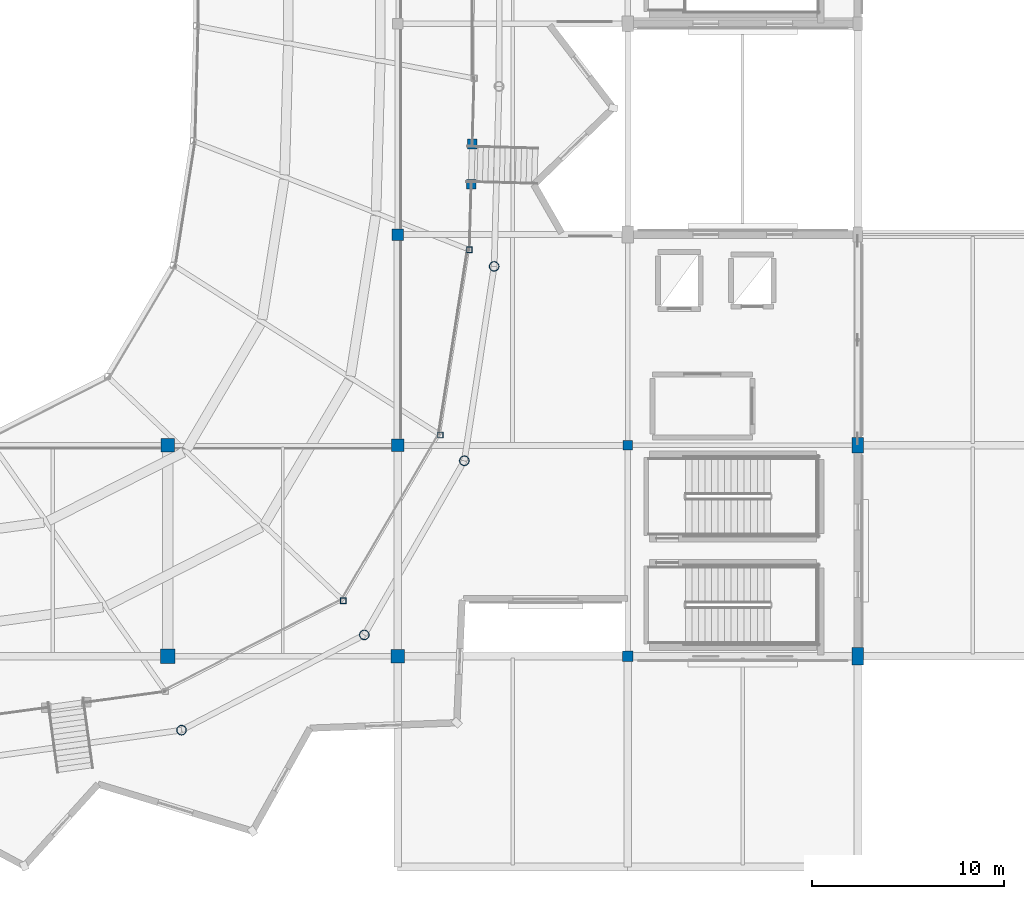
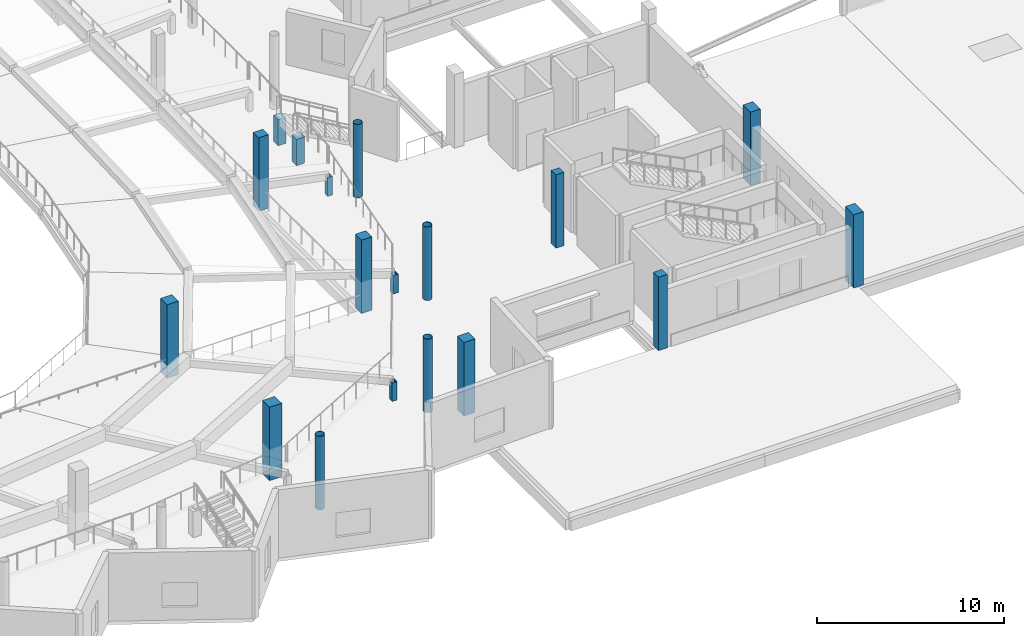
# One storey, part 12 of 77: 18 columns.
"""IFC4 building model written with IfcOpenShell, lengths in metres."""

from ifc_helpers import new_model, si_unit, direction, frame, origin, origin_2d, place, context, subcontext, project, spatial, rectangle, hollow_rectangle, hollow_circle, extrude, material, material_profile, profile_set, type_object, element, save


model = new_model("IFC4")

# Units and contexts
model_context = context("Model", 3, precision=1e-05, world=origin(), true_north=direction((0.0, 1.0)))
body_context = subcontext(model_context, "Body", "Model", "MODEL_VIEW")
ifc_project = project(units=[si_unit("LENGTHUNIT", "METRE"), si_unit("AREAUNIT", "SQUARE_METRE"), si_unit("VOLUMEUNIT", "CUBIC_METRE"), si_unit("PLANEANGLEUNIT", "RADIAN"), si_unit("MASSUNIT", "GRAM", prefix="KILO")], contexts=[model_context])

# Site, building, storey
site_placement = place(None, origin())
site = spatial("IfcSite", under=ifc_project, at=site_placement, CompositionType="ELEMENT")
building_placement = place(site_placement, origin())
building = spatial("IfcBuilding", under=site, at=building_placement, Name="Luwafu Chhajja Arena", CompositionType="ELEMENT")
storey_placement = place(building_placement, frame((0.0, 0.0, 14.699951171875)))
storey = spatial("IfcBuildingStorey", under=building, at=storey_placement, Name="L03", CompositionType="ELEMENT", Elevation=14.699951171875)

# Columns
ifc_material_1 = material(Name="Concrete C35/45", Category="concrete")
ifc_material_profile_1 = material_profile(ifc_material_1, rectangle(XDim=0.550048828125, YDim=0.550048828125, at=origin_2d()), Name="RC 550x550")
ifc_profile_set_1 = profile_set([ifc_material_profile_1], Name="Concrete C35/45")
column_type_1 = type_object("IfcColumnType", Name="Gallery Column RC 550", PredefinedType="COLUMN", material=ifc_profile_set_1)
column_1_placement = place(storey_placement, frame((152.0, 11.0, 0.0), z_axis=(0.0, 0.0, 1.0), x_axis=(1.0, 0.0, 0.0)))
element("IfcColumn", 1, at=column_1_placement, inside=storey, type_object=column_type_1, Name="L03 Grid Column 14/B", PredefinedType="COLUMN", context=body_context, shape_type="SweptSolid", body=[
    extrude(rectangle(XDim=0.550048828125, YDim=0.550048828125, at=origin_2d()), origin(), (0.0, 0.0, 1.0), 4.800048828125),
])
ifc_material_profile_2 = material_profile(ifc_material_1, rectangle(XDim=0.75, YDim=0.75, at=origin_2d()), Name="RC 750x750")
ifc_profile_set_2 = profile_set([ifc_material_profile_2], Name="Concrete C35/45")
column_type_2 = type_object("IfcColumnType", Name="Hospitality Ring Column RC 750", PredefinedType="COLUMN", material=ifc_profile_set_2)
column_2_placement = place(storey_placement, frame((128.0, 11.0, 0.0), z_axis=(0.0, 0.0, 1.0), x_axis=(1.0, 0.0, 0.0)))
element("IfcColumn", 2, at=column_2_placement, inside=storey, type_object=column_type_2, Name="L03 Grid Column 12/B", PredefinedType="COLUMN", context=body_context, shape_type="SweptSolid", body=[
    extrude(rectangle(XDim=0.75, YDim=0.75, at=origin_2d()), origin(), (0.0, 0.0, 1.0), 4.800048828125),
])
ifc_material_profile_3 = material_profile(ifc_material_1, rectangle(XDim=0.60009765625, YDim=0.60009765625, at=origin_2d()), Name="RC 600x600")
ifc_profile_set_3 = profile_set([ifc_material_profile_3], Name="Concrete C35/45")
column_type_3 = type_object("IfcColumnType", Name="Mezzanine Column RC 600", PredefinedType="COLUMN", material=ifc_profile_set_3)
column_3_placement = place(storey_placement, frame((140.0, 33.0, 0.0), z_axis=(0.0, 0.0, 1.0), x_axis=(1.0, 0.0, 0.0)))
element("IfcColumn", 3, at=column_3_placement, inside=storey, type_object=column_type_3, Name="L03 Grid Column 13/D", PredefinedType="COLUMN", context=body_context, shape_type="SweptSolid", body=[
    extrude(rectangle(XDim=0.60009765625, YDim=0.60009765625, at=origin_2d()), origin(), (0.0, 0.0, 1.0), 4.800048828125),
])
ifc_material_profile_4 = material_profile(ifc_material_1, rectangle(XDim=0.5, YDim=0.5, at=origin_2d()), Name="RC 500x500")
ifc_profile_set_4 = profile_set([ifc_material_profile_4], Name="Concrete C35/45")
column_type_4 = type_object("IfcColumnType", Name="Pavilion Column RC 500", PredefinedType="COLUMN", material=ifc_profile_set_4)
column_4_placement = place(storey_placement, frame((152.0, 22.0, 0.0), z_axis=(0.0, 0.0, 1.0), x_axis=(1.0, 0.0, 0.0)))
element("IfcColumn", 4, at=column_4_placement, inside=storey, type_object=column_type_4, Name="L03 Grid Column 14/C", PredefinedType="COLUMN", context=body_context, shape_type="SweptSolid", body=[
    extrude(rectangle(XDim=0.5, YDim=0.5, at=origin_2d()), origin(), (0.0, 0.0, 1.0), 4.800048828125),
])
for number, where, z_axis, x_axis, name in (
    (5, (143.834716796875, 35.626220703125, 0.0), (0.0, 0.0, 1.0), (1.0, 0.0, 0.0), "L03 Vomitory Header Column VU31A"),
    (6, (143.892822265625, 37.725341796875, 0.0), (0.0, 0.0, 1.0), (1.0, 0.0, 0.0), "L03 Vomitory Header Column VU31B"),
):
    element("IfcColumn", number, at=place(storey_placement, frame(where, z_axis=z_axis, x_axis=x_axis)), inside=storey, type_object=column_type_4, Name=name, PredefinedType="COLUMN", context=body_context, shape_type="SweptSolid", body=[
        extrude(rectangle(XDim=0.5, YDim=0.5, at=origin_2d()), origin(), (0.0, 0.0, 1.0), 1.699951171875),
    ])
ifc_material_2 = material(Name="Concrete C40/50", Category="concrete")
ifc_material_profile_5 = material_profile(ifc_material_2, rectangle(XDim=0.60009765625, YDim=0.800048828125, at=origin_2d()), Name="RC 600x800")
ifc_profile_set_5 = profile_set([ifc_material_profile_5], Name="Concrete C40/50")
column_type_5 = type_object("IfcColumnType", Name="Pishtaq Pier Column RC 600x800", PredefinedType="COLUMN", material=ifc_profile_set_5)
column_5_placement = place(storey_placement, frame((164.0, 22.0, 0.0), z_axis=(0.0, 0.0, 1.0), x_axis=(1.0, 0.0, 0.0)))
element("IfcColumn", 7, at=column_5_placement, inside=storey, type_object=column_type_5, Name="L03 Grid Column 15/C", PredefinedType="COLUMN", context=body_context, shape_type="SweptSolid", body=[
    extrude(rectangle(XDim=0.60009765625, YDim=0.800048828125, at=origin_2d()), origin(), (0.0, 0.0, 1.0), 4.800048828125),
])
ifc_material_3 = material(Name="Steel S355", Category="steel")
ifc_material_profile_6 = material_profile(ifc_material_3, hollow_rectangle(XDim=0.300048828125, YDim=0.300048828125, WallThickness=0.01611328125, at=origin_2d()), Name="SHS 300x300x16")
ifc_profile_set_6 = profile_set([ifc_material_profile_6], Name="Steel S355")
column_type_6 = type_object("IfcColumnType", Name="Steel Gallery Post SHS 300", PredefinedType="COLUMN", material=ifc_profile_set_6)
for number, where, z_axis, x_axis, name in (
    (8, (137.15380859375, 13.8896484375, 0.0), (0.0, 0.0, 1.0), (1.0, 0.0, 0.0), "L03 Upper Raker Rear Post 29"),
    (9, (142.227294921875, 22.5419921875, 0.0), (0.0, 0.0, 1.0), (1.0, 0.0, 0.0), "L03 Upper Raker Rear Post 30"),
    (10, (143.739501953125, 32.20361328125, 0.0), (0.0, 0.0, 1.0), (1.0, 0.0, 0.0), "L03 Upper Raker Rear Post 31"),
):
    element("IfcColumn", number, at=place(storey_placement, frame(where, z_axis=z_axis, x_axis=x_axis)), inside=storey, type_object=column_type_6, Name=name, PredefinedType="COLUMN", context=body_context, shape_type="SweptSolid", body=[
        extrude(hollow_rectangle(XDim=0.300048828125, YDim=0.300048828125, WallThickness=0.01611328125, at=origin_2d()), origin(), (0.0, 0.0, 1.0), 1.219970703125),
    ])
ifc_material_profile_7 = material_profile(ifc_material_3, hollow_circle(Radius=0.25390625, WallThickness=0.02001953125, at=origin_2d()), Name="CHS 508x20")
ifc_profile_set_7 = profile_set([ifc_material_profile_7], Name="Steel S355")
column_type_7 = type_object("IfcColumnType", Name="Steel Upper Drum Column CHS 508", PredefinedType="COLUMN", material=ifc_profile_set_7)
for number, where, z_axis, x_axis, name in (
    (11, (128.718017578125, 7.13720703125, 0.0), (0.0, 0.0, 1.0), (1.0, 0.0, 0.0), "L03 Bowl Drum Column D28"),
    (12, (138.256103515625, 12.109130859375, 0.0), (0.0, 0.0, 1.0), (1.0, 0.0, 0.0), "L03 Bowl Drum Column D29"),
    (13, (143.47607421875, 21.194091796875, 0.0), (0.0, 0.0, 1.0), (1.0, 0.0, 0.0), "L03 Bowl Drum Column D30"),
    (14, (145.031982421875, 31.3388671875, 0.0), (0.0, 0.0, 1.0), (1.0, 0.0, 0.0), "L03 Bowl Drum Column D31"),
):
    element("IfcColumn", number, at=place(storey_placement, frame(where, z_axis=z_axis, x_axis=x_axis)), inside=storey, type_object=column_type_7, Name=name, PredefinedType="COLUMN", context=body_context, shape_type="SweptSolid", body=[
        extrude(hollow_circle(Radius=0.25390625, WallThickness=0.02001953125, at=origin_2d()), origin(), (0.0, 0.0, 1.0), 4.800048828125),
    ])
ifc_material_profile_8 = material_profile(ifc_material_1, rectangle(XDim=0.64990234375, YDim=0.64990234375, at=origin_2d()), Name="RC 650x650")
ifc_profile_set_8 = profile_set([ifc_material_profile_8], Name="Concrete C35/45")
column_type_8 = type_object("IfcColumnType", Name="Upper Wing Column RC 650", PredefinedType="COLUMN", material=ifc_profile_set_8)
column_6_placement = place(storey_placement, frame((140.0, 22.0, 0.0), z_axis=(0.0, 0.0, 1.0), x_axis=(1.0, 0.0, 0.0)))
element("IfcColumn", 15, at=column_6_placement, inside=storey, type_object=column_type_8, Name="L03 Grid Column 13/C", PredefinedType="COLUMN", context=body_context, shape_type="SweptSolid", body=[
    extrude(rectangle(XDim=0.64990234375, YDim=0.64990234375, at=origin_2d()), origin(), (0.0, 0.0, 1.0), 4.800048828125),
])
ifc_material_profile_9 = material_profile(ifc_material_2, rectangle(XDim=0.60009765625, YDim=0.89990234375, at=origin_2d()), Name="RC 600x900")
ifc_profile_set_9 = profile_set([ifc_material_profile_9], Name="Concrete C40/50")
column_type_9 = type_object("IfcColumnType", Name="Warm-Up Hall Portal Column RC 600x900", PredefinedType="COLUMN", material=ifc_profile_set_9)
column_7_placement = place(storey_placement, frame((164.0, 11.0, 0.0), z_axis=(0.0, 0.0, 1.0), x_axis=(1.0, 0.0, 0.0)))
element("IfcColumn", 16, at=column_7_placement, inside=storey, type_object=column_type_9, Name="L03 Grid Column 15/B", PredefinedType="COLUMN", context=body_context, shape_type="SweptSolid", body=[
    extrude(rectangle(XDim=0.60009765625, YDim=0.89990234375, at=origin_2d()), origin(), (0.0, 0.0, 1.0), 4.800048828125),
])
ifc_material_profile_10 = material_profile(ifc_material_1, rectangle(XDim=0.699951171875, YDim=0.699951171875, at=origin_2d()), Name="RC 700x700")
ifc_profile_set_10 = profile_set([ifc_material_profile_10], Name="Concrete C35/45")
column_type_10 = type_object("IfcColumnType", Name="Wing Frame Column RC 700", PredefinedType="COLUMN", material=ifc_profile_set_10)
for number, where, z_axis, x_axis, name in (
    (17, (128.0, 22.0, 0.0), (0.0, 0.0, 1.0), (1.0, 0.0, 0.0), "L03 Grid Column 12/C"),
    (18, (140.0, 11.0, 0.0), (0.0, 0.0, 1.0), (1.0, 0.0, 0.0), "L03 Grid Column 13/B"),
):
    element("IfcColumn", number, at=place(storey_placement, frame(where, z_axis=z_axis, x_axis=x_axis)), inside=storey, type_object=column_type_10, Name=name, PredefinedType="COLUMN", context=body_context, shape_type="SweptSolid", body=[
        extrude(rectangle(XDim=0.699951171875, YDim=0.699951171875, at=origin_2d()), origin(), (0.0, 0.0, 1.0), 4.800048828125),
    ])

save(model, "model.ifc")
